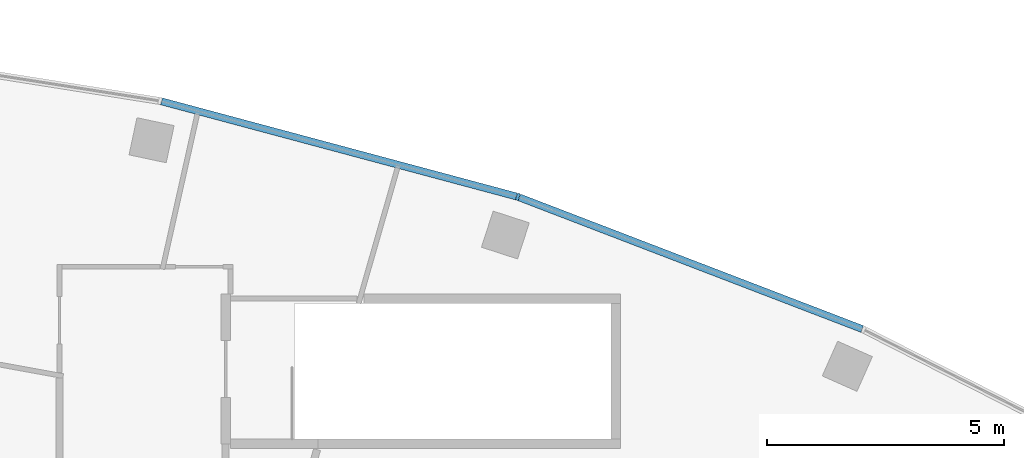
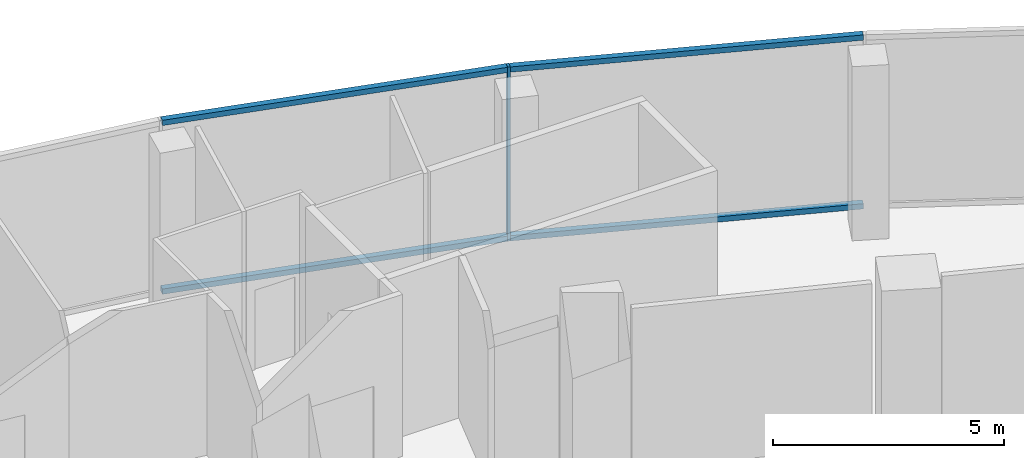
# One storey, part 14 of 33: 5 members, 1 element without a shape of its own.
"""IFC4 building model written with IfcOpenShell, lengths in metres."""

from ifc_helpers import new_model, si_unit, direction, frame, origin, origin_2d, place, context, subcontext, project, spatial, rectangle, extrude, material, layer, layer_set, material_profile, profile_set, type_object, element, aggregate, save


model = new_model("IFC4")

# Units and contexts
model_context = context("Model", 3, precision=1e-05, world=origin(), true_north=direction((0.0, 1.0)))
body_context = subcontext(model_context, "Body", "Model", "MODEL_VIEW")
ifc_project = project(units=[si_unit("LENGTHUNIT", "METRE"), si_unit("AREAUNIT", "SQUARE_METRE"), si_unit("VOLUMEUNIT", "CUBIC_METRE"), si_unit("PLANEANGLEUNIT", "RADIAN"), si_unit("MASSUNIT", "GRAM", prefix="KILO")], contexts=[model_context])

# Site, building, storey
site_placement = place(None, origin())
site = spatial("IfcSite", under=ifc_project, at=site_placement, CompositionType="ELEMENT")
building_placement = place(site_placement, origin())
building = spatial("IfcBuilding", under=site, at=building_placement, Name="Stone Belt Terrace Tower", CompositionType="ELEMENT")
storey_placement = place(building_placement, frame((0.0, 0.0, 25.39990234375)))
storey = spatial("IfcBuildingStorey", under=building, at=storey_placement, Name="L05", CompositionType="ELEMENT", Elevation=25.39990234375)

# Curtain wall, members
ifc_material = material(Name="Aluminium 6063-T6 anodised frame", Category="aluminium")
ifc_layer = layer(ifc_material, 0.14990234375)
ifc_layer_set = layer_set([ifc_layer], Name="CW-D podium shopfront")
curtain_wall_type = type_object("IfcCurtainWallType", Name="CW-D podium shopfront", PredefinedType="NOTDEFINED", material=ifc_layer_set)
curtain_wall_placement = place(storey_placement, origin())
curtain_wall = element("IfcCurtainWall", 1, at=curtain_wall_placement, inside=storey, type_object=curtain_wall_type, Name="CW-D convex face L05", PredefinedType="NOTDEFINED")
ifc_material_profile_1 = material_profile(ifc_material, rectangle(XDim=0.14990234375, YDim=0.06005859375, at=origin_2d()), Name="Aluminium 6063-T6 60x150")
ifc_profile_set_1 = profile_set([ifc_material_profile_1], Name="Aluminium 6063-T6 anodised frame")
member_type_1 = type_object("IfcMemberType", Name="CW-D mullion 60 x 150", PredefinedType="MULLION", material=ifc_profile_set_1)
member_1_placement = place(storey_placement, frame((23.044921875, 70.925048828125, 0.0), z_axis=(0.0, 0.0, 1.0), x_axis=(-0.309016994375, -0.951056516295, 0.0)))
member_1 = element("IfcMember", 2, at=member_1_placement, type_object=member_type_1, Name="CW-D mullion 10", PredefinedType="MULLION", context=body_context, shape_type="SweptSolid", body=[
    extrude(rectangle(XDim=0.14990234375, YDim=0.06005859375, at=origin_2d()), origin(), (0.0, 0.0, 1.0), 4.60009765625),
])
ifc_material_profile_2 = material_profile(ifc_material, rectangle(XDim=0.14990234375, YDim=0.139892578125, at=origin_2d()), Name="Aluminium 6063-T6 150x140")
ifc_profile_set_2 = profile_set([ifc_material_profile_2], Name="Aluminium 6063-T6 anodised frame")
member_type_2 = type_object("IfcMemberType", Name="CW-D transom 140 x 150", PredefinedType="USERDEFINED", material=ifc_profile_set_2)
member_2_placement = place(storey_placement, frame((30.30078125, 68.139892578125, 0.070068359375), z_axis=(-0.933575536994, 0.358380686878, 0.0), x_axis=(-0.358380686878, -0.933575536994, 0.0)))
member_2 = element("IfcMember", 3, at=member_2_placement, type_object=member_type_2, Name="CW-D transom 9.1", ObjectType="TRANSOM", PredefinedType="USERDEFINED", context=body_context, shape_type="SweptSolid", body=[
    extrude(rectangle(XDim=0.14990234375, YDim=0.139892578125, at=origin_2d()), origin(), (0.0, 0.0, 1.0), 7.738037109375),
])
member_3_placement = place(storey_placement, frame((30.30078125, 68.139892578125, 4.530029296875), z_axis=(-0.933575536994, 0.358380686878, 0.0), x_axis=(-0.358380686878, -0.933575536994, 0.0)))
member_3 = element("IfcMember", 4, at=member_3_placement, type_object=member_type_2, Name="CW-D transom 9.2", ObjectType="TRANSOM", PredefinedType="USERDEFINED", context=body_context, shape_type="SweptSolid", body=[
    extrude(rectangle(XDim=0.14990234375, YDim=0.139892578125, at=origin_2d()), origin(), (0.0, 0.0, 1.0), 7.738037109375),
])
member_4_placement = place(storey_placement, frame((23.01220703125, 70.933837890625, 0.070068359375), z_axis=(-0.965920024897, 0.258840695223, 0.0), x_axis=(-0.258840695223, -0.965920024897, 0.0)))
member_4 = element("IfcMember", 5, at=member_4_placement, type_object=member_type_2, Name="CW-D transom 10.1", ObjectType="TRANSOM", PredefinedType="USERDEFINED", context=body_context, shape_type="SweptSolid", body=[
    extrude(rectangle(XDim=0.14990234375, YDim=0.139892578125, at=origin_2d()), origin(), (0.0, 0.0, 1.0), 7.738037109375),
])
member_5_placement = place(storey_placement, frame((23.01220703125, 70.933837890625, 4.530029296875), z_axis=(-0.965920024897, 0.258840695223, 0.0), x_axis=(-0.258840695223, -0.965920024897, 0.0)))
member_5 = element("IfcMember", 6, at=member_5_placement, type_object=member_type_2, Name="CW-D transom 10.2", ObjectType="TRANSOM", PredefinedType="USERDEFINED", context=body_context, shape_type="SweptSolid", body=[
    extrude(rectangle(XDim=0.14990234375, YDim=0.139892578125, at=origin_2d()), origin(), (0.0, 0.0, 1.0), 7.738037109375),
])
aggregate(curtain_wall, [member_1, member_2, member_3, member_4, member_5])

save(model, "model.ifc")
